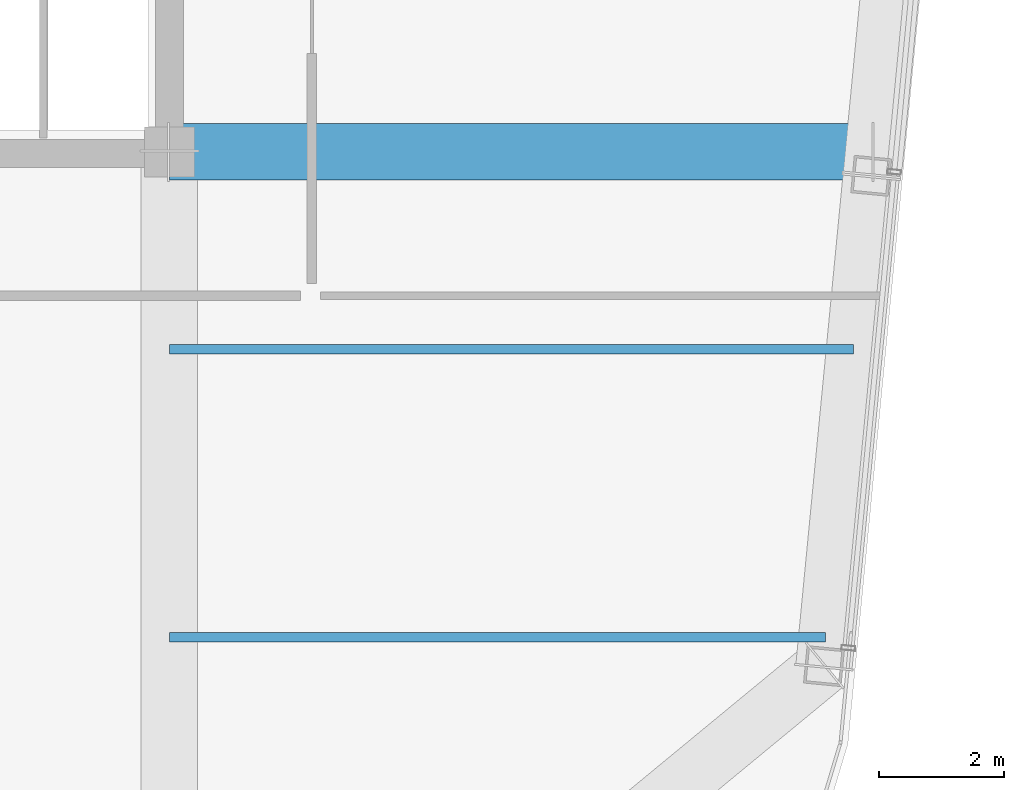
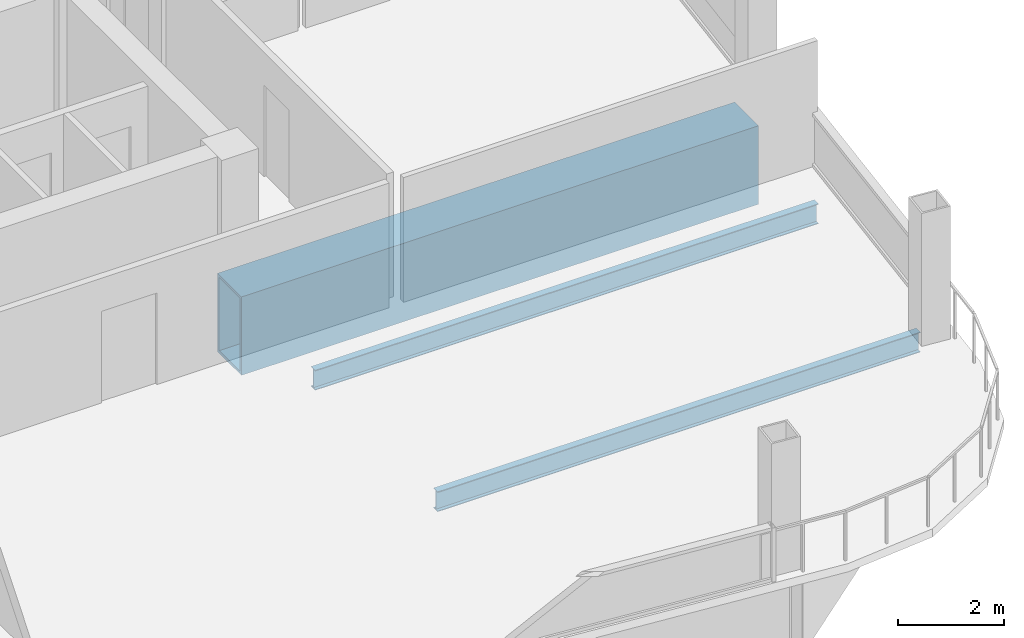
# One storey, part 5 of 21: 3 beams.
"""IFC4 building model written with IfcOpenShell, lengths in metres."""

from ifc_helpers import new_model, si_unit, direction, frame, origin, origin_2d, place, context, subcontext, project, spatial, hollow_rectangle, i_section, extrude, material, material_profile, profile_set, type_object, element, save


model = new_model("IFC4")

# Units and contexts
model_context = context("Model", 3, precision=1e-05, world=origin(), true_north=direction((0.0, 1.0)))
body_context = subcontext(model_context, "Body", "Model", "MODEL_VIEW")
ifc_project = project(units=[si_unit("LENGTHUNIT", "METRE"), si_unit("AREAUNIT", "SQUARE_METRE"), si_unit("VOLUMEUNIT", "CUBIC_METRE"), si_unit("PLANEANGLEUNIT", "RADIAN"), si_unit("MASSUNIT", "GRAM", prefix="KILO")], contexts=[model_context])

# Site, building, storey
site_placement = place(None, origin())
site = spatial("IfcSite", under=ifc_project, at=site_placement, CompositionType="ELEMENT")
building_placement = place(site_placement, origin())
building = spatial("IfcBuilding", under=site, at=building_placement, Name="Qhalaya Broadcast Tower", CompositionType="ELEMENT")
storey_placement = place(building_placement, frame((0.0, 0.0, 270.300048828125)))
storey = spatial("IfcBuildingStorey", under=building, at=storey_placement, Name="L80", CompositionType="ELEMENT", Elevation=270.300048828125)

# Beams
ifc_material_1 = material(Name="Structural Steel ASTM A572 Grade 50", Category="steel")
ifc_material_profile_1 = material_profile(ifc_material_1, hollow_rectangle(XDim=0.89990234375, YDim=1.800048828125, WallThickness=0.06005859375, at=origin_2d()), Name="BOX 900x1800x60")
ifc_profile_set_1 = profile_set([ifc_material_profile_1], Name="Structural Steel ASTM A572 Grade 50")
beam_type_1 = type_object("IfcBeamType", Name="Block Cantilever Transfer Box Girder TG1", PredefinedType="USERDEFINED", material=ifc_profile_set_1)
beam_1_placement = place(storey_placement, frame((9.375, -8.75, -1.090087890625), z_axis=(1.0, 0.0, 0.0), x_axis=(0.0, 1.0, 0.0)))
element("IfcBeam", 1, at=beam_1_placement, inside=storey, type_object=beam_type_1, Name="L80 TG1 L80-PGYE1-1", ObjectType="GIRDER", PredefinedType="USERDEFINED", context=body_context, shape_type="SweptSolid", body=[
    extrude(hollow_rectangle(XDim=0.89990234375, YDim=1.800048828125, WallThickness=0.06005859375, at=origin_2d()), origin(), (0.0, 0.0, 1.0), 11.22412109375),
])
ifc_material_2 = material(Name="Structural Steel ASTM A992 Grade 50", Category="steel")
ifc_material_profile_2 = material_profile(ifc_material_2, i_section(OverallWidth=0.154052734375, OverallDepth=0.458984375, WebThickness=0.009033203125, FlangeThickness=0.015380859375, at=origin_2d()), Name="W18X46")
ifc_profile_set_2 = profile_set([ifc_material_profile_2], Name="Structural Steel ASTM A992 Grade 50")
beam_type_2 = type_object("IfcBeamType", Name="Composite Floor Joist J04", PredefinedType="JOIST", material=ifc_profile_set_2)
beam_2_placement = place(storey_placement, frame((9.375, -16.5, -0.41943359375), z_axis=(1.0, 0.0, 0.0), x_axis=(0.0, 1.0, 0.0)))
element("IfcBeam", 2, at=beam_2_placement, inside=storey, type_object=beam_type_2, Name="L80 J04 L80-JWE1E-1", PredefinedType="JOIST", context=body_context, shape_type="SweptSolid", body=[
    extrude(i_section(OverallWidth=0.154052734375, OverallDepth=0.458984375, WebThickness=0.009033203125, FlangeThickness=0.015380859375, at=origin_2d()), origin(), (0.0, 0.0, 1.0), 10.47802734375),
])
beam_3_placement = place(storey_placement, frame((9.375, -11.89990234375, -0.41943359375), z_axis=(1.0, 0.0, 0.0), x_axis=(0.0, 1.0, 0.0)))
element("IfcBeam", 3, at=beam_3_placement, inside=storey, type_object=beam_type_2, Name="L80 J04 L80-JWE2E-1", PredefinedType="JOIST", context=body_context, shape_type="SweptSolid", body=[
    extrude(i_section(OverallWidth=0.154052734375, OverallDepth=0.458984375, WebThickness=0.009033203125, FlangeThickness=0.015380859375, at=origin_2d()), origin(), (0.0, 0.0, 1.0), 10.9208984375),
])

save(model, "model.ifc")
